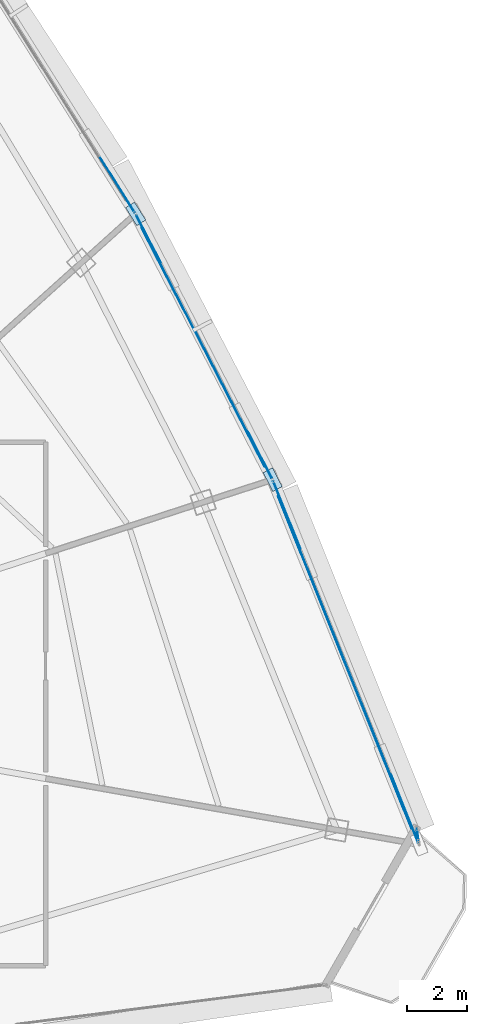
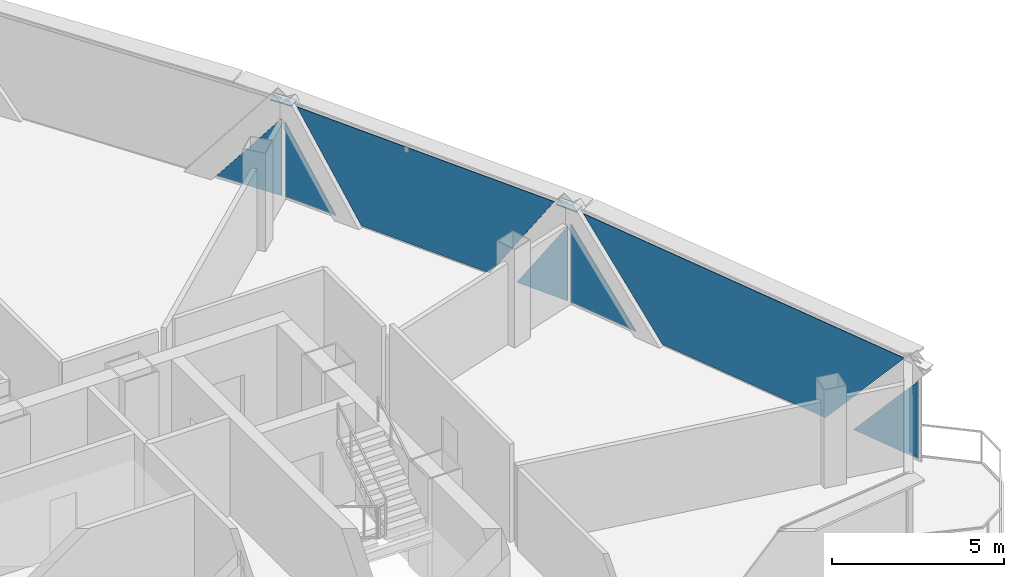
# One storey, part 24 of 30: 10 plates, 4 elements without a shape of their own.
"""IFC4 building model written with IfcOpenShell, lengths in metres."""

from ifc_helpers import new_model, si_unit, direction, frame, origin, origin_2d, place, context, subcontext, project, spatial, polyline, rectangle, outline, extrude, source, transform, mapped, material, layer, layer_set, type_object, element, aggregate, save


model = new_model("IFC4")

# Units and contexts
model_context = context("Model", 3, precision=1e-05, world=origin(), true_north=direction((0.0, 1.0)))
body_context = subcontext(model_context, "Body", "Model", "MODEL_VIEW")
ifc_project = project(units=[si_unit("LENGTHUNIT", "METRE"), si_unit("AREAUNIT", "SQUARE_METRE"), si_unit("VOLUMEUNIT", "CUBIC_METRE"), si_unit("PLANEANGLEUNIT", "RADIAN"), si_unit("MASSUNIT", "GRAM", prefix="KILO"), si_unit("THERMODYNAMICTEMPERATUREUNIT", "KELVIN"), si_unit("POWERUNIT", "WATT")], contexts=[model_context])

# Site, building, storey
site_placement = place(None, origin())
site = spatial("IfcSite", under=ifc_project, at=site_placement, CompositionType="ELEMENT")
building_placement = place(site_placement, origin())
building = spatial("IfcBuilding", under=site, at=building_placement, Name="Yunzhuo Pagoda Commons", CompositionType="ELEMENT")
storey_placement = place(building_placement, frame((0.0, 0.0, 348.010009765625)))
storey = spatial("IfcBuildingStorey", under=building, at=storey_placement, Name="L87", CompositionType="ELEMENT", Elevation=348.010009765625)

# Curtain wall, plates
ifc_material_1 = material(Name="Anodized aluminium 6063-T6", Category="aluminium")
ifc_layer_1 = layer(ifc_material_1, 0.139892578125)
ifc_layer_set_1 = layer_set([ifc_layer_1], Name="Anodized aluminium 6063-T6")
curtain_wall_type = type_object("IfcCurtainWallType", Name="CW-HI High-Zone Ribbon Curtain Wall", PredefinedType="NOTDEFINED", material=ifc_layer_set_1)
curtain_wall_1_placement = place(storey_placement, origin())
curtain_wall_1 = element("IfcCurtainWall", 1, at=curtain_wall_1_placement, inside=storey, type_object=curtain_wall_type, Name="L87 curtain wall CW-L87-F2B2", PredefinedType="NOTDEFINED")
ifc_material_2 = material(Name="Tempered low-e double glazing", Category="glass")
ifc_layer_2 = layer(ifc_material_2, 0.02587890625)
ifc_layer_set_2 = layer_set([ifc_layer_2], Name="Tempered low-e double glazing")
plate_type_1 = type_object("IfcPlateType", Name="CW-HI-P Low-E Double Glazing 26", PredefinedType="CURTAIN_PANEL", material=ifc_layer_set_2)
plate_1_placement = place(storey_placement, frame((74.708740234375, 30.0751953125, 1.44775390625), z_axis=(0.92803921175, 0.372482511608, 0.0), x_axis=(-0.372482511608, 0.92803921175, 0.0)))
plate_1 = element("IfcPlate", 2, at=plate_1_placement, type_object=plate_type_1, Name="CW panel 1.1 lite 1", PredefinedType="CURTAIN_PANEL", context=body_context, shape_type="SweptSolid", body=[
    extrude(outline(polyline([(-1.206298828125, -1.392578125), (1.206298828125, -1.392578125), (-1.206298828125, 1.392578125), (-1.206298828125, -1.392578125)])), origin(), (0.0, 0.0, 1.0), 0.028076171875),
])
plate_2_placement = place(storey_placement, frame((72.73291015625, 34.91796875, 1.744873046875), z_axis=(0.92803921175, 0.372482511608, 0.0), x_axis=(-0.372482511608, 0.92803921175, 0.0)))
plate_2 = element("IfcPlate", 3, at=plate_2_placement, type_object=plate_type_1, Name="CW panel 1.1 lite 2", PredefinedType="CURTAIN_PANEL", context=body_context, shape_type="SweptSolid", body=[
    extrude(outline(polyline([(-5.9462890625, 1.68994140625), (-3.018310546875, -1.68994140625), (3.018310546875, -1.68994140625), (5.9462890625, 1.68994140625), (-5.9462890625, 1.68994140625)])), origin(), (0.0, 0.0, 1.0), 0.028076171875),
])
plate_3_placement = place(storey_placement, frame((70.8125, 39.782958984375, 1.44775390625), z_axis=(0.92803921175, 0.372482511608, 0.0), x_axis=(-0.372482511608, 0.92803921175, 0.0)))
plate_3 = element("IfcPlate", 4, at=plate_3_placement, type_object=plate_type_1, Name="CW panel 1.1 lite 3", PredefinedType="CURTAIN_PANEL", context=body_context, shape_type="SweptSolid", body=[
    extrude(outline(polyline([(-1.206298828125, -1.392578125), (1.206298828125, -1.392578125), (1.206298828125, 1.392578125), (-1.206298828125, -1.392578125)])), origin(), (0.0, 0.0, 1.0), 0.028076171875),
])
aggregate(curtain_wall_1, [plate_1, plate_2, plate_3])

curtain_wall_2_placement = place(storey_placement, origin())
curtain_wall_2 = element("IfcCurtainWall", 5, at=curtain_wall_2_placement, inside=storey, type_object=curtain_wall_type, Name="L87 curtain wall CW-L87-F2B3", PredefinedType="NOTDEFINED")
plate_4_placement = place(storey_placement, frame((69.913330078125, 41.787353515625, 1.381591796875), z_axis=(0.888845723113, 0.458206591511, 0.0), x_axis=(-0.458206591511, 0.888845723113, 0.0)))
plate_4 = element("IfcPlate", 6, at=plate_4_placement, type_object=plate_type_1, Name="CW panel 1.1 lite 1", PredefinedType="CURTAIN_PANEL", context=body_context, shape_type="SweptSolid", body=[
    extrude(outline(polyline([(-0.874267578125, -1.32666015625), (0.874267578125, -1.32666015625), (-0.874267578125, 1.32666015625), (-0.874267578125, -1.32666015625)])), origin(), (0.0, 0.0, 1.0), 0.028076171875),
])
plate_5_placement = place(storey_placement, frame((68.050048828125, 45.336181640625, 1.744873046875), z_axis=(0.888845723113, 0.458206591511, 0.0), x_axis=(-0.458206591511, 0.888845723113, 0.0)))
plate_5 = element("IfcPlate", 7, at=plate_5_placement, type_object=plate_type_1, Name="CW panel 1.1 lite 2", PredefinedType="CURTAIN_PANEL", context=body_context, shape_type="SweptSolid", body=[
    extrude(outline(polyline([(-4.451171875, 1.68994140625), (-2.2236328125, -1.68994140625), (2.2236328125, -1.68994140625), (4.451171875, 1.68994140625), (-4.451171875, 1.68994140625)])), origin(), (0.0, 0.0, 1.0), 0.028076171875),
])
plate_6_placement = place(storey_placement, frame((66.240234375, 48.91259765625, 1.381591796875), z_axis=(0.888845723113, 0.458206591511, 0.0), x_axis=(-0.458206591511, 0.888845723113, 0.0)))
plate_6 = element("IfcPlate", 8, at=plate_6_placement, type_object=plate_type_1, Name="CW panel 1.1 lite 3", PredefinedType="CURTAIN_PANEL", context=body_context, shape_type="SweptSolid", body=[
    extrude(outline(polyline([(-0.874267578125, -1.32666015625), (0.874267578125, -1.32666015625), (0.874267578125, 1.32666015625), (-0.874267578125, -1.32666015625)])), origin(), (0.0, 0.0, 1.0), 0.028076171875),
])
aggregate(curtain_wall_2, [plate_4, plate_5, plate_6])

# Curtain wall, plate
curtain_wall_3_placement = place(storey_placement, origin())
curtain_wall_3 = element("IfcCurtainWall", 9, at=curtain_wall_3_placement, inside=storey, type_object=curtain_wall_type, Name="L87 curtain wall CW-L87-F2B4", PredefinedType="NOTDEFINED")
plate_7_placement = place(storey_placement, frame((65.209228515625, 50.701171875, 1.426025390625), z_axis=(0.846524621891, 0.532349569861, 0.0), x_axis=(-0.532349569861, 0.846524621891, 0.0)))
plate_7 = element("IfcPlate", 10, at=plate_7_placement, type_object=plate_type_1, Name="CW panel 1.1 lite 1", PredefinedType="CURTAIN_PANEL", context=body_context, shape_type="SweptSolid", body=[
    extrude(outline(polyline([(-1.073486328125, -1.37109375), (1.073486328125, -1.37109375), (-1.073486328125, 1.37109375), (-1.073486328125, -1.37109375)])), origin(), (0.0, 0.0, 1.0), 0.028076171875),
])
aggregate(curtain_wall_3, [plate_7])

curtain_wall_4_placement = place(storey_placement, origin())
curtain_wall_4 = element("IfcCurtainWall", 11, at=curtain_wall_4_placement, inside=storey, type_object=curtain_wall_type, Name="L87 curtain wall CW-L87-F2B1", PredefinedType="NOTDEFINED")
plate_8_placement = place(storey_placement, frame((75.158447265625, 29.228515625, 1.397705078125), z_axis=(-0.988629179637, -0.150374017607, 0.0), x_axis=(0.150374017607, -0.988629179637, 0.0)))
plate_8 = element("IfcPlate", 12, at=plate_8_placement, type_object=plate_type_1, Name="CW panel 1.1 lite 1", PredefinedType="CURTAIN_PANEL", context=body_context, shape_type="SweptSolid", body=[
    extrude(outline(polyline([(-0.18994140625, -1.3427734375), (0.18994140625, -1.3427734375), (0.18994140625, 1.3427734375), (-0.18994140625, 0.89208984375), (-0.18994140625, -1.3427734375)])), origin(), (0.0, 0.0, 1.0), 0.028076171875),
])
aggregate(curtain_wall_4, [plate_8])

# Plates
ifc_material_3 = material(Name="Structural steel Q355B", Category="steel")
ifc_layer_3 = layer(ifc_material_3, 0.028076171875)
ifc_layer_set_3 = layer_set([ifc_layer_3], Name="Structural steel Q355B")
plate_type_2 = type_object("IfcPlateType", Name="SP-ND1 Lattice Node Cap Plate 800x500x28", PredefinedType="USERDEFINED", material=ifc_layer_set_3)
shared_shape = source(origin(), body_context, "Body", "SweptSolid", [
    extrude(rectangle(XDim=0.699951171875, YDim=0.35009765625, at=origin_2d()), origin(), (0.0, 0.0, 1.0), 0.035888671875),
])
for number, where, z_axis, x_axis, name in (
    (13, (70.353759765625, 40.963134765625, 3.4521484375), (0.0, 0.0, 1.0), (-0.458199726156, 0.888849262221, 0.0), "L87 setback lattice tie plate F2.2L"),
    (14, (65.824462890625, 49.749267578125, 3.4521484375), (0.0, 0.0, 1.0), (-0.532344492073, 0.846527815113, 0.0), "L87 setback lattice tie plate F2.3L"),
):
    element("IfcPlate", number, at=place(storey_placement, frame(where, z_axis=z_axis, x_axis=x_axis)), inside=storey, type_object=plate_type_2, Name=name, ObjectType="STIFFENER_PLATE", PredefinedType="USERDEFINED", context=body_context, shape_type="MappedRepresentation", body=[
        mapped(shared_shape, transform((0.0, 0.0, 0.0), scale=1.0)),
    ])

save(model, "model.ifc")
